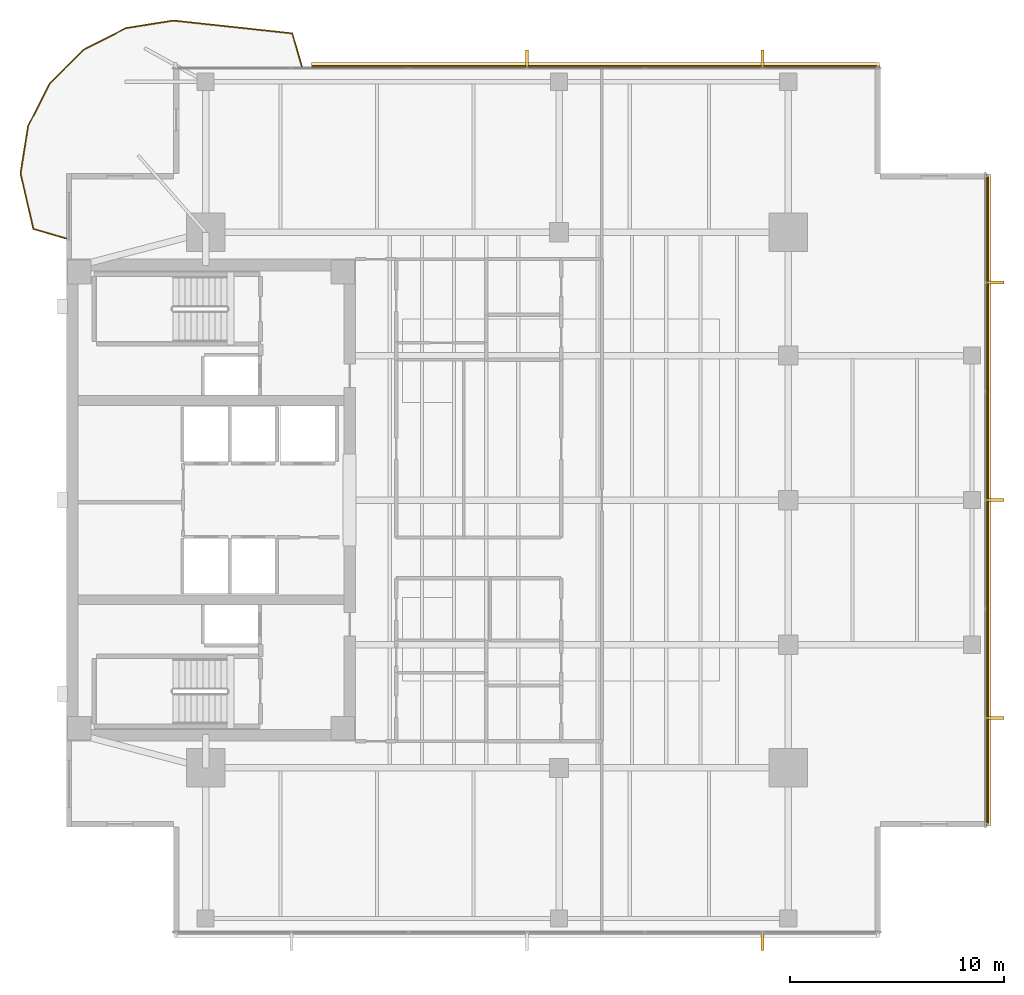
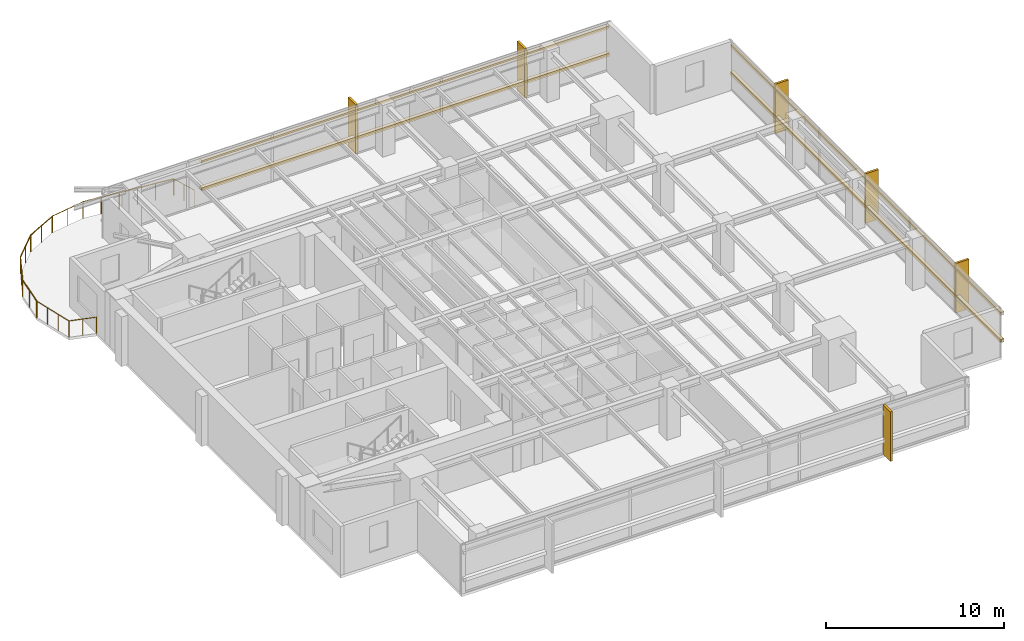
# One storey, part 14 of 14: 10 coverings, 9 railings, 4 shading devices.
"""IFC4 building model written with IfcOpenShell, lengths in metres."""

from ifc_helpers import new_model, si_unit, direction, frame, origin, origin_2d, place, context, subcontext, project, spatial, polyline, rectangle, circle, outline, extrude, material, layer, layer_set, material_profile, profile_set, type_object, element, save


model = new_model("IFC4")

# Units and contexts
model_context = context("Model", 3, precision=1e-05, world=origin(), true_north=direction((0.0, 1.0)))
body_context = subcontext(model_context, "Body", "Model", "MODEL_VIEW")
ifc_project = project(units=[si_unit("LENGTHUNIT", "METRE"), si_unit("AREAUNIT", "SQUARE_METRE"), si_unit("VOLUMEUNIT", "CUBIC_METRE"), si_unit("PLANEANGLEUNIT", "RADIAN"), si_unit("MASSUNIT", "GRAM", prefix="KILO")], contexts=[model_context])

# Site, building, storey
site_placement = place(None, origin())
site = spatial("IfcSite", under=ifc_project, at=site_placement, CompositionType="ELEMENT")
building_placement = place(site_placement, origin())
building = spatial("IfcBuilding", under=site, at=building_placement, Name="Kinhvarn Gate Tower", CompositionType="ELEMENT")
storey_placement = place(building_placement, frame((0.0, 0.0, 195.14990234375)))
storey = spatial("IfcBuildingStorey", under=building, at=storey_placement, Name="L51", CompositionType="ELEMENT", Elevation=195.14990234375)

# Coverings
ifc_material_1 = material(Name="Fired architectural terracotta", Category="masonry")
ifc_layer_1 = layer(ifc_material_1, 0.239990234375)
ifc_layer_set_1 = layer_set([ifc_layer_1], Name="Fired architectural terracotta")
covering_type_1 = type_object("IfcCoveringType", Name="COV-BAG-220", PredefinedType="CLADDING", material=ifc_layer_set_1)
for number, where, name in (
    (1, (0.0, 0.0, 0.940185546875), "Terracotta Horizontal Sunscreen Band TBG-220 (L51)"),
    (2, (0.0, 0.0, 2.81005859375), "Terracotta Horizontal Sunscreen Band TBG-220 (L51)"),
):
    element("IfcCovering", number, at=place(storey_placement, frame(where)), inside=storey, type_object=covering_type_1, Name=name, PredefinedType="CLADDING", context=body_context, shape_type="SweptSolid", body=[
        extrude(outline(polyline([(42.4599609375, 45.429931640625), (15.947021484375, 45.429931640625), (15.947021484375, 45.669921875), (42.4599609375, 45.669921875), (42.4599609375, 45.429931640625)])), origin(), (0.0, 0.0, 1.0), 0.219970703125),
    ])
for number, where, name in (
    (3, (0.0, 0.0, 0.940185546875), "Terracotta Horizontal Sunscreen Band TBG-220 (L51)"),
    (4, (0.0, 0.0, 2.81005859375), "Terracotta Horizontal Sunscreen Band TBG-220 (L51)"),
):
    element("IfcCovering", number, at=place(storey_placement, frame(where)), inside=storey, type_object=covering_type_1, Name=name, PredefinedType="CLADDING", context=body_context, shape_type="SweptSolid", body=[
        extrude(outline(polyline([(47.429931640625, 10.0400390625), (47.429931640625, 40.4599609375), (47.669921875, 40.4599609375), (47.669921875, 10.0400390625), (47.429931640625, 10.0400390625)])), origin(), (0.0, 0.0, 1.0), 0.219970703125),
    ])
ifc_layer_2 = layer(ifc_material_1, 0.139892578125)
ifc_layer_set_2 = layer_set([ifc_layer_2], Name="Fired architectural terracotta")
covering_type_2 = type_object("IfcCoveringType", Name="COV-FIN-850", PredefinedType="CLADDING", material=ifc_layer_set_2)
covering_1_placement = place(storey_placement, frame((0.0, 0.0, -0.02001953125)))
element("IfcCovering", 5, at=covering_1_placement, inside=storey, type_object=covering_type_2, Name="Vertical Terracotta Expressive Fin TFN-850 (L51)", PredefinedType="CLADDING", context=body_context, shape_type="SweptSolid", body=[
    extrude(outline(polyline([(36.929931640625, 5.080078125), (37.070068359375, 5.080078125), (37.070068359375, 4.22998046875), (36.929931640625, 4.22998046875), (36.929931640625, 5.080078125)])), origin(), (0.0, 0.0, 1.0), 3.41015625),
])
covering_2_placement = place(storey_placement, frame((0.0, 0.0, -0.02001953125)))
element("IfcCovering", 6, at=covering_2_placement, inside=storey, type_object=covering_type_2, Name="Vertical Terracotta Expressive Fin TFN-850 (L51)", PredefinedType="CLADDING", context=body_context, shape_type="SweptSolid", body=[
    extrude(outline(polyline([(37.070068359375, 45.419921875), (36.929931640625, 45.419921875), (36.929931640625, 46.27001953125), (37.070068359375, 46.27001953125), (37.070068359375, 45.419921875)])), origin(), (0.0, 0.0, 1.0), 3.41015625),
])
covering_3_placement = place(storey_placement, frame((0.0, 0.0, -0.02001953125)))
element("IfcCovering", 7, at=covering_3_placement, inside=storey, type_object=covering_type_2, Name="Vertical Terracotta Expressive Fin TFN-850 (L51)", PredefinedType="CLADDING", context=body_context, shape_type="SweptSolid", body=[
    extrude(outline(polyline([(26.070068359375, 45.419921875), (25.929931640625, 45.419921875), (25.929931640625, 46.27001953125), (26.070068359375, 46.27001953125), (26.070068359375, 45.419921875)])), origin(), (0.0, 0.0, 1.0), 3.41015625),
])
covering_4_placement = place(storey_placement, frame((0.0, 0.0, -0.02001953125)))
element("IfcCovering", 8, at=covering_4_placement, inside=storey, type_object=covering_type_2, Name="Vertical Terracotta Expressive Fin TFN-850 (L51)", PredefinedType="CLADDING", context=body_context, shape_type="SweptSolid", body=[
    extrude(outline(polyline([(47.419921875, 15.01318359375), (47.419921875, 15.1533203125), (48.27001953125, 15.1533203125), (48.27001953125, 15.01318359375), (47.419921875, 15.01318359375)])), origin(), (0.0, 0.0, 1.0), 3.41015625),
])
covering_5_placement = place(storey_placement, frame((0.0, 0.0, -0.02001953125)))
element("IfcCovering", 9, at=covering_5_placement, inside=storey, type_object=covering_type_2, Name="Vertical Terracotta Expressive Fin TFN-850 (L51)", PredefinedType="CLADDING", context=body_context, shape_type="SweptSolid", body=[
    extrude(outline(polyline([(47.419921875, 25.179931640625), (47.419921875, 25.320068359375), (48.27001953125, 25.320068359375), (48.27001953125, 25.179931640625), (47.419921875, 25.179931640625)])), origin(), (0.0, 0.0, 1.0), 3.41015625),
])
covering_6_placement = place(storey_placement, frame((0.0, 0.0, -0.02001953125)))
element("IfcCovering", 10, at=covering_6_placement, inside=storey, type_object=covering_type_2, Name="Vertical Terracotta Expressive Fin TFN-850 (L51)", PredefinedType="CLADDING", context=body_context, shape_type="SweptSolid", body=[
    extrude(outline(polyline([(47.419921875, 35.3466796875), (47.419921875, 35.48681640625), (48.27001953125, 35.48681640625), (48.27001953125, 35.3466796875), (47.419921875, 35.3466796875)])), origin(), (0.0, 0.0, 1.0), 3.41015625),
])

# Railings
ifc_material_2 = material(Name="Clear low-e double glazing", Category="glass")
railing_type = type_object("IfcRailingType", Name="RL-BAL-1150", PredefinedType="BALUSTRADE", material=ifc_material_2)
railing_1_placement = place(storey_placement, frame((15.4970703125, 45.5, 0.0)))
element("IfcRailing", 11, at=railing_1_placement, inside=storey, type_object=railing_type, Name="S-Carve Balcony Guardrail Seg 1 (L51)", PredefinedType="BALUSTRADE", context=body_context, shape_type="SweptSolid", body=[
    extrude(circle(Radius=0.02392578125, at=origin_2d()), frame((0.0, 0.0, 1.1259765625), z_axis=(-0.280444054648, 0.959870372609, 0.0), x_axis=(-0.959870372609, -0.280444054648, 0.0)), (0.0, 0.0, 1.0), 1.6044921875),
    extrude(circle(Radius=0.02099609375, at=origin_2d()), origin(), (0.0, 0.0, 1.0), 1.101806640625),
    extrude(circle(Radius=0.02099609375, at=origin_2d()), frame((-0.22509765625, 0.77001953125, 0.0)), (0.0, 0.0, 1.0), 1.101806640625),
    extrude(circle(Radius=0.02099609375, at=origin_2d()), frame((-0.449951171875, 1.5400390625, 0.0)), (0.0, 0.0, 1.0), 1.101806640625),
])
railing_2_placement = place(storey_placement, frame((15.047119140625, 47.0400390625, 0.0)))
element("IfcRailing", 12, at=railing_2_placement, inside=storey, type_object=railing_type, Name="S-Carve Balcony Guardrail Seg 2 (L51)", PredefinedType="BALUSTRADE", context=body_context, shape_type="SweptSolid", body=[
    extrude(circle(Radius=0.02392578125, at=origin_2d()), frame((0.0, 0.0, 1.1259765625), z_axis=(-0.994222581481, 0.107338056968, 0.0), x_axis=(-0.107338056968, -0.994222581481, 0.0)), (0.0, 0.0, 1.0), 5.579345703125),
    extrude(circle(Radius=0.02099609375, at=origin_2d()), origin(), (0.0, 0.0, 1.0), 1.101806640625),
    extrude(circle(Radius=0.02099609375, at=origin_2d()), frame((-1.109375, 0.119873046875, 0.0)), (0.0, 0.0, 1.0), 1.101806640625),
    extrude(circle(Radius=0.02099609375, at=origin_2d()), frame((-2.21875, 0.239501953125, 0.0)), (0.0, 0.0, 1.0), 1.101806640625),
    extrude(circle(Radius=0.02099609375, at=origin_2d()), frame((-3.328369140625, 0.359375, 0.0)), (0.0, 0.0, 1.0), 1.101806640625),
    extrude(circle(Radius=0.02099609375, at=origin_2d()), frame((-4.437744140625, 0.47900390625, 0.0)), (0.0, 0.0, 1.0), 1.101806640625),
    extrude(circle(Radius=0.02099609375, at=origin_2d()), frame((-5.547119140625, 0.598876953125, 0.0)), (0.0, 0.0, 1.0), 1.101806640625),
])
railing_3_placement = place(storey_placement, frame((9.5, 47.638916015625, 0.0)))
element("IfcRailing", 13, at=railing_3_placement, inside=storey, type_object=railing_type, Name="S-Carve Balcony Guardrail Seg 3 (L51)", PredefinedType="BALUSTRADE", context=body_context, shape_type="SweptSolid", body=[
    extrude(circle(Radius=0.02392578125, at=origin_2d()), frame((0.0, 0.0, 1.1259765625), z_axis=(-0.98769107309, -0.156417211774, 0.0), x_axis=(0.156417211774, -0.98769107309, 0.0)), (0.0, 0.0, 1.0), 2.233642578125),
    extrude(circle(Radius=0.02099609375, at=origin_2d()), origin(), (0.0, 0.0, 1.0), 1.101806640625),
    extrude(circle(Radius=0.02099609375, at=origin_2d()), frame((-1.10302734375, -0.1748046875, 0.0)), (0.0, 0.0, 1.0), 1.101806640625),
    extrude(circle(Radius=0.02099609375, at=origin_2d()), frame((-2.2060546875, -0.349365234375, 0.0)), (0.0, 0.0, 1.0), 1.101806640625),
])
railing_4_placement = place(storey_placement, frame((7.2939453125, 47.28955078125, 0.0)))
element("IfcRailing", 14, at=railing_4_placement, inside=storey, type_object=railing_type, Name="S-Carve Balcony Guardrail Seg 4 (L51)", PredefinedType="BALUSTRADE", context=body_context, shape_type="SweptSolid", body=[
    extrude(circle(Radius=0.02392578125, at=origin_2d()), frame((0.0, 0.0, 1.1259765625), z_axis=(-0.891035326143, -0.453933968287, 0.0), x_axis=(0.453933968287, -0.891035326143, 0.0)), (0.0, 0.0, 1.0), 2.233642578125),
    extrude(circle(Radius=0.02099609375, at=origin_2d()), origin(), (0.0, 0.0, 1.0), 1.101806640625),
    extrude(circle(Radius=0.02099609375, at=origin_2d()), frame((-0.9951171875, -0.5068359375, 0.0)), (0.0, 0.0, 1.0), 1.101806640625),
    extrude(circle(Radius=0.02099609375, at=origin_2d()), frame((-1.990234375, -1.013916015625, 0.0)), (0.0, 0.0, 1.0), 1.101806640625),
])
railing_5_placement = place(storey_placement, frame((5.3037109375, 46.275634765625, 0.0)))
element("IfcRailing", 15, at=railing_5_placement, inside=storey, type_object=railing_type, Name="S-Carve Balcony Guardrail Seg 5 (L51)", PredefinedType="BALUSTRADE", context=body_context, shape_type="SweptSolid", body=[
    extrude(circle(Radius=0.02392578125, at=origin_2d()), frame((0.0, 0.0, 1.1259765625), z_axis=(-0.707106781187, -0.707106781187, 0.0), x_axis=(0.707106781187, -0.707106781187, 0.0)), (0.0, 0.0, 1.0), 2.233642578125),
    extrude(circle(Radius=0.02099609375, at=origin_2d()), origin(), (0.0, 0.0, 1.0), 1.101806640625),
    extrude(circle(Radius=0.02099609375, at=origin_2d()), frame((-0.78955078125, -0.78955078125, 0.0)), (0.0, 0.0, 1.0), 1.101806640625),
    extrude(circle(Radius=0.02099609375, at=origin_2d()), frame((-1.579345703125, -1.579345703125, 0.0)), (0.0, 0.0, 1.0), 1.101806640625),
])
railing_6_placement = place(storey_placement, frame((3.724365234375, 44.6962890625, 0.0)))
element("IfcRailing", 16, at=railing_6_placement, inside=storey, type_object=railing_type, Name="S-Carve Balcony Guardrail Seg 6 (L51)", PredefinedType="BALUSTRADE", context=body_context, shape_type="SweptSolid", body=[
    extrude(circle(Radius=0.02392578125, at=origin_2d()), frame((0.0, 0.0, 1.1259765625), z_axis=(-0.453933968287, -0.891035326143, 0.0), x_axis=(0.891035326143, -0.453933968287, 0.0)), (0.0, 0.0, 1.0), 2.233642578125),
    extrude(circle(Radius=0.02099609375, at=origin_2d()), origin(), (0.0, 0.0, 1.0), 1.101806640625),
    extrude(circle(Radius=0.02099609375, at=origin_2d()), frame((-0.5068359375, -0.9951171875, 0.0)), (0.0, 0.0, 1.0), 1.101806640625),
    extrude(circle(Radius=0.02099609375, at=origin_2d()), frame((-1.013916015625, -1.990234375, 0.0)), (0.0, 0.0, 1.0), 1.101806640625),
])
railing_7_placement = place(storey_placement, frame((2.71044921875, 42.7060546875, 0.0)))
element("IfcRailing", 17, at=railing_7_placement, inside=storey, type_object=railing_type, Name="S-Carve Balcony Guardrail Seg 7 (L51)", PredefinedType="BALUSTRADE", context=body_context, shape_type="SweptSolid", body=[
    extrude(circle(Radius=0.02392578125, at=origin_2d()), frame((0.0, 0.0, 1.1259765625), z_axis=(-0.156417211774, -0.98769107309, 0.0), x_axis=(0.98769107309, -0.156417211774, 0.0)), (0.0, 0.0, 1.0), 2.233642578125),
    extrude(circle(Radius=0.02099609375, at=origin_2d()), origin(), (0.0, 0.0, 1.0), 1.101806640625),
    extrude(circle(Radius=0.02099609375, at=origin_2d()), frame((-0.1748046875, -1.10302734375, 0.0)), (0.0, 0.0, 1.0), 1.101806640625),
    extrude(circle(Radius=0.02099609375, at=origin_2d()), frame((-0.349365234375, -2.2060546875, 0.0)), (0.0, 0.0, 1.0), 1.101806640625),
])
railing_8_placement = place(storey_placement, frame((2.361083984375, 40.5, 0.0)))
element("IfcRailing", 18, at=railing_8_placement, inside=storey, type_object=railing_type, Name="S-Carve Balcony Guardrail Seg 8 (L51)", PredefinedType="BALUSTRADE", context=body_context, shape_type="SweptSolid", body=[
    extrude(circle(Radius=0.02392578125, at=origin_2d()), frame((0.0, 0.0, 1.1259765625), z_axis=(0.225194732002, -0.974313775269, 0.0), x_axis=(0.974313775269, 0.225194732002, 0.0)), (0.0, 0.0, 1.0), 2.659423828125),
    extrude(circle(Radius=0.02099609375, at=origin_2d()), origin(), (0.0, 0.0, 1.0), 1.101806640625),
    extrude(circle(Radius=0.02099609375, at=origin_2d()), frame((0.19970703125, -0.86376953125, 0.0)), (0.0, 0.0, 1.0), 1.101806640625),
    extrude(circle(Radius=0.02099609375, at=origin_2d()), frame((0.399169921875, -1.727294921875, 0.0)), (0.0, 0.0, 1.0), 1.101806640625),
    extrude(circle(Radius=0.02099609375, at=origin_2d()), frame((0.598876953125, -2.591064453125, 0.0)), (0.0, 0.0, 1.0), 1.101806640625),
])
railing_9_placement = place(storey_placement, frame((2.9599609375, 37.908935546875, 0.0)))
element("IfcRailing", 19, at=railing_9_placement, inside=storey, type_object=railing_type, Name="S-Carve Balcony Guardrail Seg 9 (L51)", PredefinedType="BALUSTRADE", context=body_context, shape_type="SweptSolid", body=[
    extrude(circle(Radius=0.02392578125, at=origin_2d()), frame((0.0, 0.0, 1.1259765625), z_axis=(0.959870372609, -0.280444054648, 0.0), x_axis=(0.280444054648, 0.959870372609, 0.0)), (0.0, 0.0, 1.0), 1.6044921875),
    extrude(circle(Radius=0.02099609375, at=origin_2d()), origin(), (0.0, 0.0, 1.0), 1.101806640625),
    extrude(circle(Radius=0.02099609375, at=origin_2d()), frame((0.77001953125, -0.22509765625, 0.0)), (0.0, 0.0, 1.0), 1.101806640625),
    extrude(circle(Radius=0.02099609375, at=origin_2d()), frame((1.5400390625, -0.449951171875, 0.0)), (0.0, 0.0, 1.0), 1.101806640625),
])

# Shading devices
ifc_material_profile = material_profile(ifc_material_1, rectangle(XDim=0.050048828125, YDim=0.1201171875, at=origin_2d()), Name="TC 50x120")
ifc_profile_set = profile_set([ifc_material_profile], Name="Fired architectural terracotta")
shading_device_type = type_object("IfcShadingDeviceType", Name="SHD-BAG-140", PredefinedType="USERDEFINED", material=ifc_profile_set)
for number, where, z_axis, x_axis, name in (
    (20, (42.4599609375, 45.5, 1.050048828125), (-1.0, 0.0, 0.0), (0.0, -1.0, 0.0), "Upper Tower Terracotta Baguette Screen Rod 50x120 mm (L51)"),
    (21, (42.4599609375, 45.5, 2.920166015625), (-1.0, 0.0, 0.0), (0.0, -1.0, 0.0), "Upper Tower Terracotta Baguette Screen Rod 50x120 mm (L51)"),
):
    element("IfcShadingDevice", number, at=place(storey_placement, frame(where, z_axis=z_axis, x_axis=x_axis)), inside=storey, type_object=shading_device_type, Name=name, ObjectType="BAGUETTE", PredefinedType="USERDEFINED", context=body_context, shape_type="SweptSolid", body=[
        extrude(rectangle(XDim=0.050048828125, YDim=0.1201171875, at=origin_2d()), origin(), (0.0, 0.0, 1.0), 26.512939453125),
    ])
for number, where, z_axis, x_axis, name in (
    (22, (47.5, 10.0400390625, 1.050048828125), (0.0, 1.0, 0.0), (-1.0, 0.0, 0.0), "Upper Tower Terracotta Baguette Screen Rod 50x120 mm (L51)"),
    (23, (47.5, 10.0400390625, 2.920166015625), (0.0, 1.0, 0.0), (-1.0, 0.0, 0.0), "Upper Tower Terracotta Baguette Screen Rod 50x120 mm (L51)"),
):
    element("IfcShadingDevice", number, at=place(storey_placement, frame(where, z_axis=z_axis, x_axis=x_axis)), inside=storey, type_object=shading_device_type, Name=name, ObjectType="BAGUETTE", PredefinedType="USERDEFINED", context=body_context, shape_type="SweptSolid", body=[
        extrude(rectangle(XDim=0.050048828125, YDim=0.1201171875, at=origin_2d()), origin(), (0.0, 0.0, 1.0), 30.419921875),
    ])

save(model, "model.ifc")
